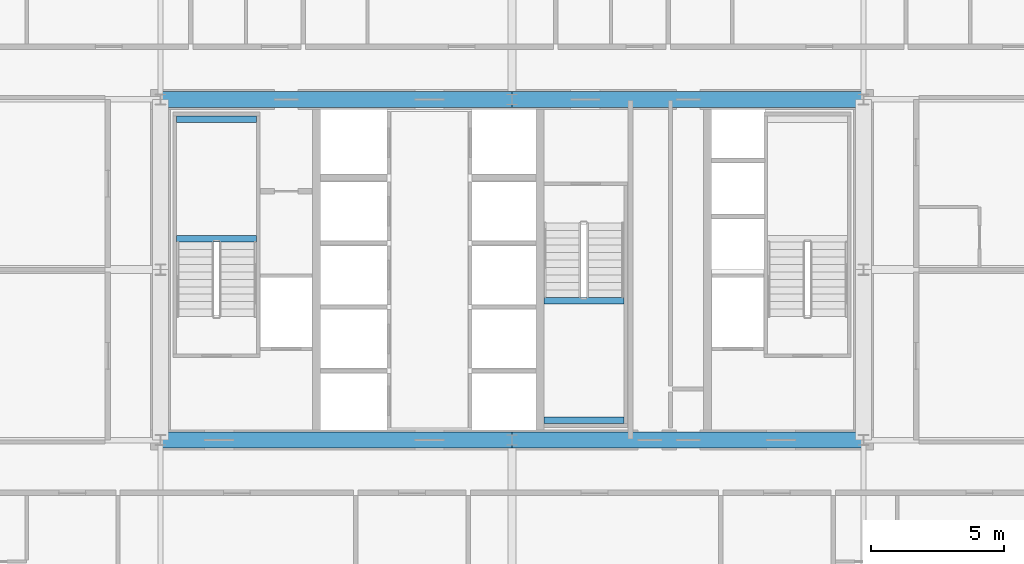
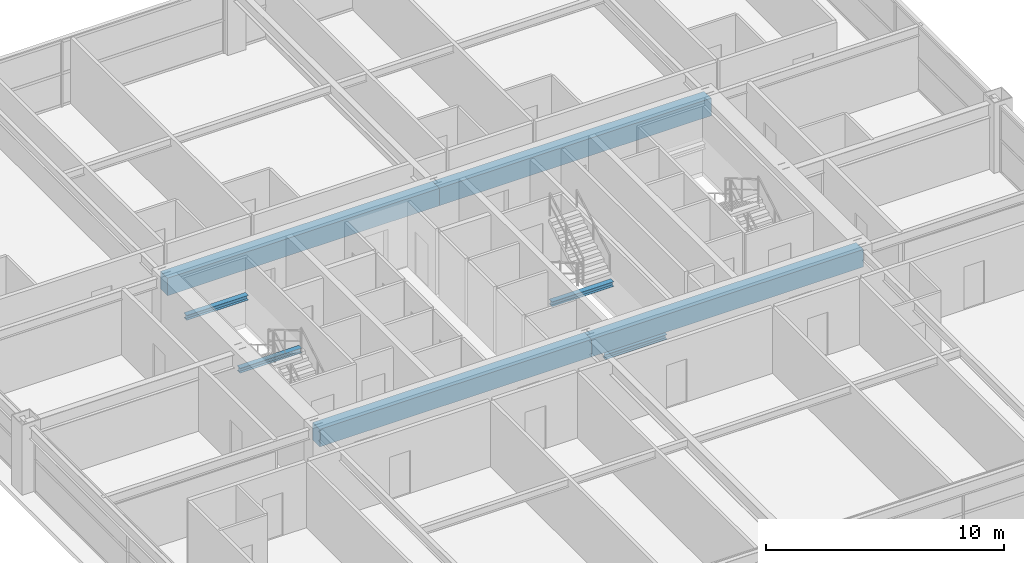
# One storey, part 13 of 39: 8 beams.
"""IFC4 building model written with IfcOpenShell, lengths in metres."""

from ifc_helpers import new_model, si_unit, direction, frame, origin, origin_2d, place, context, subcontext, project, spatial, rectangle, i_section, extrude, source, transform, mapped, material, material_profile, profile_set, type_object, element, save


model = new_model("IFC4")

# Units and contexts
model_context = context("Model", 3, precision=1e-05, world=origin(), true_north=direction((0.0, 1.0)))
body_context = subcontext(model_context, "Body", "Model", "MODEL_VIEW")
ifc_project = project(units=[si_unit("LENGTHUNIT", "METRE"), si_unit("AREAUNIT", "SQUARE_METRE"), si_unit("VOLUMEUNIT", "CUBIC_METRE"), si_unit("PLANEANGLEUNIT", "RADIAN"), si_unit("MASSUNIT", "GRAM", prefix="KILO"), si_unit("THERMODYNAMICTEMPERATUREUNIT", "KELVIN"), si_unit("POWERUNIT", "WATT")], contexts=[model_context])

# Site, building, storey
site_placement = place(None, origin())
site = spatial("IfcSite", under=ifc_project, at=site_placement, CompositionType="ELEMENT")
building_placement = place(site_placement, origin())
building = spatial("IfcBuilding", under=site, at=building_placement, Name="Yuzanri Waterfront Tower", CompositionType="ELEMENT")
storey_placement = place(building_placement, frame((0.0, 0.0, 148.800048828125)))
storey = spatial("IfcBuildingStorey", under=building, at=storey_placement, Name="L39", CompositionType="ELEMENT", Elevation=148.800048828125)

# Beams
ifc_material_1 = material(Name="Concrete C60", Category="concrete")
ifc_material_profile_1 = material_profile(ifc_material_1, rectangle(XDim=0.60009765625, YDim=0.89990234375, at=origin_2d()), Name="RC 600x900")
ifc_profile_set_1 = profile_set([ifc_material_profile_1], Name="Concrete C60")
beam_type_1 = type_object("IfcBeamType", Name="Core Coupling Lintel Concrete C60 600x900", PredefinedType="LINTEL", material=ifc_profile_set_1)
shared_shape_1 = source(origin(), body_context, "Body", "SweptSolid", [
    extrude(rectangle(XDim=0.60009765625, YDim=0.89990234375, at=origin_2d()), origin(), (0.0, 0.0, 1.0), 13.199951171875),
])
for number, where, z_axis, x_axis, name in (
    (1, (23.800048828125, 19.39990234375, 2.929931640625), (1.0, 0.0, 0.0), (0.0, 1.0, 0.0), "L39 Core Tie Beam CS1"),
    (2, (37.0, 19.39990234375, 2.929931640625), (1.0, 0.0, 0.0), (0.0, 1.0, 0.0), "L39 Core Tie Beam CS2"),
    (3, (23.800048828125, 32.199951171875, 2.929931640625), (1.0, 0.0, 0.0), (0.0, 1.0, 0.0), "L39 Core Tie Beam CN1"),
    (4, (37.0, 32.199951171875, 2.929931640625), (1.0, 0.0, 0.0), (0.0, 1.0, 0.0), "L39 Core Tie Beam CN2"),
):
    element("IfcBeam", number, at=place(storey_placement, frame(where, z_axis=z_axis, x_axis=x_axis)), inside=storey, type_object=beam_type_1, Name=name, PredefinedType="LINTEL", context=body_context, shape_type="MappedRepresentation", body=[
        mapped(shared_shape_1, transform((0.0, 0.0, 0.0), scale=1.0)),
    ])
ifc_material_2 = material(Name="Steel Q355B", Category="steel")
ifc_material_profile_2 = material_profile(ifc_material_2, i_section(OverallWidth=0.25, OverallDepth=0.25, WebThickness=0.009033203125, FlangeThickness=0.013916015625, at=origin_2d()), Name="HW 250x250x9x14")
ifc_profile_set_2 = profile_set([ifc_material_profile_2], Name="Steel Q355B")
beam_type_2 = type_object("IfcBeamType", Name="Stair Landing Support Beam Q355B HW 250x250", PredefinedType="BEAM", material=ifc_profile_set_2)
shared_shape_2 = source(origin(), body_context, "Body", "SweptSolid", [
    extrude(i_section(OverallWidth=0.25, OverallDepth=0.25, WebThickness=0.009033203125, FlangeThickness=0.013916015625, at=origin_2d()), origin(), (0.0, 0.0, 1.0), 3.0),
])
for number, where, z_axis, x_axis, name in (
    (5, (24.39990234375, 26.969970703125, 1.474853515625), (1.0, 0.0, 0.0), (0.0, 1.0, 0.0), "L39 Stair Landing Support Beam ST-01-L39-L1-1"),
    (6, (24.39990234375, 31.449951171875, 1.474853515625), (1.0, 0.0, 0.0), (0.0, 1.0, 0.0), "L39 Stair Landing Support Beam ST-01-L39-L1-2"),
    (7, (38.199951171875, 20.14990234375, 1.474853515625), (1.0, 0.0, 0.0), (0.0, 1.0, 0.0), "L39 Stair Landing Support Beam ST-03-L39-L1-1"),
    (8, (38.199951171875, 24.6298828125, 1.474853515625), (1.0, 0.0, 0.0), (0.0, 1.0, 0.0), "L39 Stair Landing Support Beam ST-03-L39-L1-2"),
):
    element("IfcBeam", number, at=place(storey_placement, frame(where, z_axis=z_axis, x_axis=x_axis)), inside=storey, type_object=beam_type_2, Name=name, PredefinedType="BEAM", context=body_context, shape_type="MappedRepresentation", body=[
        mapped(shared_shape_2, transform((0.0, 0.0, 0.0), scale=1.0)),
    ])

save(model, "model.ifc")
